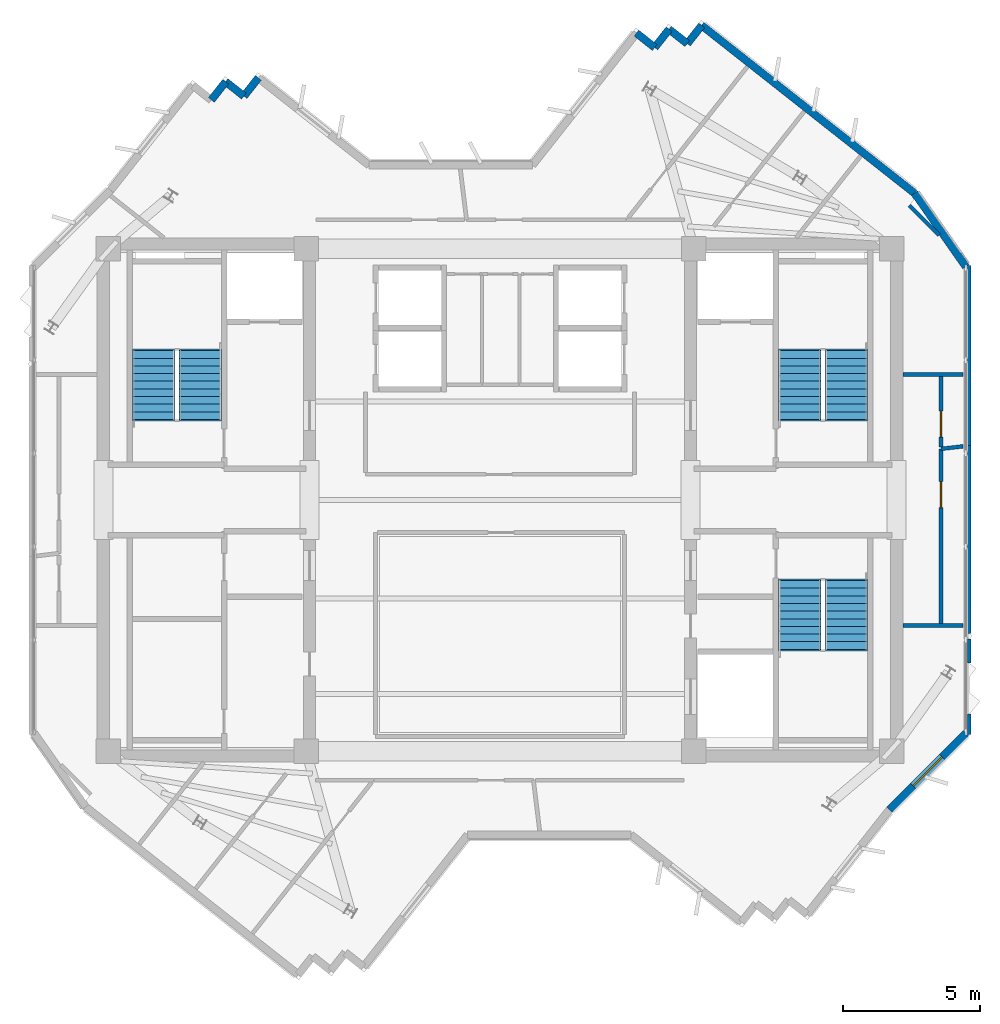
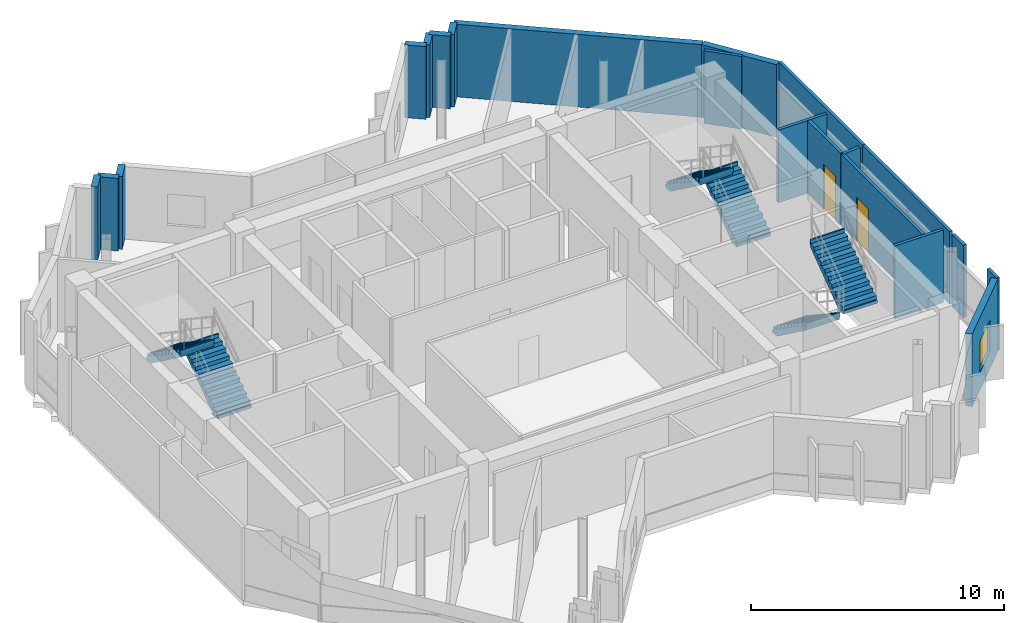
# One storey, part 8 of 10: 20 walls, 6 stair flights, 2 doors, 1 window, 3 openings, 3 elements without a shape of their own.
"""IFC4 building model written with IfcOpenShell, lengths in metres."""

from ifc_helpers import new_model, si_unit, direction, frame, frame_2d, origin, place, context, subcontext, project, spatial, polyline, rectangle, outline, extrude, source, transform, mapped, material, layer, layer_set, type_object, element, fill, aggregate, save


model = new_model("IFC4")

# Units and contexts
model_context = context("Model", 3, precision=1e-05, world=origin(), true_north=direction((0.0, 1.0)))
body_context = subcontext(model_context, "Body", "Model", "MODEL_VIEW")
ifc_project = project(units=[si_unit("LENGTHUNIT", "METRE"), si_unit("AREAUNIT", "SQUARE_METRE"), si_unit("VOLUMEUNIT", "CUBIC_METRE"), si_unit("PLANEANGLEUNIT", "RADIAN"), si_unit("MASSUNIT", "GRAM", prefix="KILO")], contexts=[model_context])

# Site, building, storey
site_placement = place(None, origin())
site = spatial("IfcSite", under=ifc_project, at=site_placement, CompositionType="ELEMENT")
building_placement = place(site_placement, origin())
building = spatial("IfcBuilding", under=site, at=building_placement, Name="Zahravan Cultural Tower", CompositionType="ELEMENT")
storey_placement = place(building_placement, frame((0.0, 0.0, 327.300048828125)))
storey = spatial("IfcBuildingStorey", under=building, at=storey_placement, Name="L79", CompositionType="ELEMENT", Elevation=327.300048828125)

# Wall, opening, window
ifc_material_1 = material(Name="Precast concrete C40/50", Category="concrete")
ifc_layer_1 = layer(ifc_material_1, 0.280029296875)
ifc_layer_set_1 = layer_set([ifc_layer_1], Name="Precast concrete C40/50")
wall_type_1 = type_object("IfcWallType", Name="EW-TC-280", PredefinedType="SOLIDWALL", material=ifc_layer_set_1)
wall_1_placement = place(storey_placement, frame((53.06005859375, 18.4580078125, 0.0), z_axis=(0.0, 0.0, 1.0), x_axis=(-0.707106781187, -0.707106781187, 0.0)))
wall_1 = element("IfcWall", 1, at=wall_1_placement, inside=storey, type_object=wall_type_1, Name="L79 Exterior Masonry Frame Wall 16", PredefinedType="SOLIDWALL", context=body_context, shape_type="SweptSolid", body=[
    extrude(rectangle(XDim=3.96337890625, YDim=0.280029296875, at=frame_2d((1.981689453125, 0.0))), origin(), (0.0, 0.0, 1.0), 3.5),
])
opening_1_placement = place(wall_1_placement, frame((1.23193359375, 0.0, 0.85009765625)))
opening_1 = element("IfcOpeningElement", 2, at=opening_1_placement, cuts=wall_1, Name="Opening WN-03", PredefinedType="OPENING", context=body_context, shape_type="SweptSolid", body=[
    extrude(rectangle(XDim=1.5, YDim=1.5, at=frame_2d((0.75, 0.75))), frame((0.0, 0.14990234375, 0.0), z_axis=(0.0, -1.0, 0.0), x_axis=(1.0, 0.0, 0.0)), (0.0, 0.0, 1.0), 0.300048828125),
])
ifc_material_2 = material(Name="Low-E solar-control double glazing", Category="glass")
window_type = type_object("IfcWindowType", Name="WN-REC-1500X1500", PartitioningType="SINGLE_PANEL", PredefinedType="WINDOW", material=ifc_material_2)
shared_shape_1 = source(origin(), body_context, "Body", "SweptSolid", [
    extrude(rectangle(XDim=1.5, YDim=1.5, at=frame_2d((0.75, 0.75))), frame((0.0, 0.030029296875, 0.0), z_axis=(0.0, -1.0, 0.0), x_axis=(1.0, 0.0, 0.0)), (0.0, 0.0, 1.0), 0.06005859375),
])
window_placement = place(opening_1_placement, origin())
window = element("IfcWindow", 3, at=window_placement, inside=storey, type_object=window_type, Name="L79 Recessed Solar Window 05", OverallHeight=1.5, OverallWidth=1.5, PartitioningType="SINGLE_PANEL", PredefinedType="WINDOW", context=body_context, shape_type="MappedRepresentation", body=[
    mapped(shared_shape_1, transform((0.0, 0.0, 0.0), x_axis=(1.0, 0.0, 0.0), y_axis=(0.0, 1.0, 0.0), z_axis=(0.0, 0.0, 1.0), scale=1.0)),
])
fill(opening_1, window)

# Wall, opening, door
ifc_material_3 = material(Name="Gypsum plasterboard partition")
ifc_layer_2 = layer(ifc_material_3, 0.139892578125)
ifc_layer_set_2 = layer_set([ifc_layer_2], Name="Gypsum plasterboard partition")
wall_type_2 = type_object("IfcWallType", Name="W-PART-140", PredefinedType="PARTITIONING", material=ifc_layer_set_2)
wall_2_placement = place(storey_placement, frame((52.14990234375, 28.948486328125, 0.0), z_axis=(0.0, 0.0, 1.0), x_axis=(-0.000379182834, 0.99999992811, 0.0)))
wall_2 = element("IfcWall", 4, at=wall_2_placement, inside=storey, type_object=wall_type_2, Name="L79 Interior Wall 072", PredefinedType="PARTITIONING", context=body_context, shape_type="SweptSolid", body=[
    extrude(rectangle(XDim=2.575439453125, YDim=0.139892578125, at=frame_2d((1.28759765625, 0.0))), origin(), (0.0, 0.0, 1.0), 3.5),
])
opening_2_placement = place(wall_2_placement, frame((0.357666015625, 0.0, 0.0)))
opening_2 = element("IfcOpeningElement", 5, at=opening_2_placement, cuts=wall_2, Name="Opening D-L79-17", PredefinedType="OPENING", context=body_context, shape_type="SweptSolid", body=[
    extrude(rectangle(XDim=0.949951171875, YDim=2.14990234375, at=frame_2d((0.47509765625, 1.074951171875))), frame((0.0, 0.079833984375, 0.0), z_axis=(0.0, -1.0, 0.0), x_axis=(1.0, 0.0, 0.0)), (0.0, 0.0, 1.0), 0.159912109375),
])
ifc_material_4 = material(Name="Anodised bronze-aluminium mullion", Category="aluminium")
door_type = type_object("IfcDoorType", Name="DR-ROOM-950", OperationType="NOTDEFINED", PredefinedType="DOOR", material=ifc_material_4)
shared_shape_2 = source(origin(), body_context, "Body", "SweptSolid", [
    extrude(rectangle(XDim=0.949951171875, YDim=2.14990234375, at=frame_2d((0.47509765625, 1.074951171875))), frame((0.0, 0.02490234375, 0.0), z_axis=(0.0, -1.0, 0.0), x_axis=(1.0, 0.0, 0.0)), (0.0, 0.0, 1.0), 0.050048828125),
])
door_1_placement = place(opening_2_placement, origin())
door_1 = element("IfcDoor", 6, at=door_1_placement, inside=storey, type_object=door_type, Name="L79 Door D-L79-17", OperationType="SINGLE_SWING_LEFT", OverallHeight=2.14990234375, OverallWidth=0.949951171875, PredefinedType="DOOR", context=body_context, shape_type="MappedRepresentation", body=[
    mapped(shared_shape_2, transform((0.0, 0.0, 0.0), x_axis=(1.0, 0.0, 0.0), y_axis=(0.0, 1.0, 0.0), z_axis=(0.0, 0.0, 1.0), scale=1.0)),
])
fill(opening_2, door_1)

wall_3_placement = place(storey_placement, frame((52.1474609375, 22.477294921875, 0.0), z_axis=(0.0, 0.0, 1.0), x_axis=(0.0003817085, 0.999999927149, 0.0)))
wall_3 = element("IfcWall", 7, at=wall_3_placement, inside=storey, type_object=wall_type_2, Name="L79 Interior Wall 083", PredefinedType="PARTITIONING", context=body_context, shape_type="SweptSolid", body=[
    extrude(rectangle(XDim=6.39599609375, YDim=0.139892578125, at=frame_2d((3.197998046875, 0.0))), origin(), (0.0, 0.0, 1.0), 3.5),
])
opening_3_placement = place(wall_3_placement, frame((4.247802734375, 0.0, 0.0)))
opening_3 = element("IfcOpeningElement", 8, at=opening_3_placement, cuts=wall_3, Name="Opening D-L79-23", PredefinedType="OPENING", context=body_context, shape_type="SweptSolid", body=[
    extrude(rectangle(XDim=0.949951171875, YDim=2.14990234375, at=frame_2d((0.47509765625, 1.074951171875))), frame((0.0, 0.079833984375, 0.0), z_axis=(0.0, -1.0, 0.0), x_axis=(1.0, 0.0, 0.0)), (0.0, 0.0, 1.0), 0.159912109375),
])
door_2_placement = place(opening_3_placement, origin())
door_2 = element("IfcDoor", 9, at=door_2_placement, inside=storey, type_object=door_type, Name="L79 Door D-L79-23", OperationType="SINGLE_SWING_LEFT", OverallHeight=2.14990234375, OverallWidth=0.949951171875, PredefinedType="DOOR", context=body_context, shape_type="MappedRepresentation", body=[
    mapped(shared_shape_2, transform((0.0, 0.0, 0.0), x_axis=(1.0, 0.0, 0.0), y_axis=(0.0, 1.0, 0.0), z_axis=(0.0, 0.0, 1.0), scale=1.0)),
])
fill(opening_3, door_2)

# Walls
shared_shape_3 = source(origin(), body_context, "Body", "SweptSolid", [
    extrude(rectangle(XDim=0.85009765625, YDim=0.280029296875, at=frame_2d((0.425048828125, 0.0))), origin(), (0.0, 0.0, 1.0), 3.5),
])
for number, where, z_axis, x_axis, name in (
    (10, (25.4296875, 41.64892578125, 0.0), (0.0, 0.0, 1.0), (0.619215838066, 0.785220826193, 0.0), "L79 Exterior Masonry Frame Wall 04"),
    (11, (25.9560546875, 42.31640625, 0.0), (0.0, 0.0, 1.0), (0.785220826193, -0.619215838066, 0.0), "L79 Exterior Masonry Frame Wall 05"),
    (12, (40.997314453125, 44.0966796875, 0.0), (0.0, 0.0, 1.0), (0.785220826193, -0.619215838066, 0.0), "L79 Exterior Masonry Frame Wall 10"),
    (13, (42.8583984375, 43.711669921875, 0.0), (0.0, 0.0, 1.0), (0.619215838066, 0.785220826193, 0.0), "L79 Exterior Masonry Frame Wall 13"),
):
    element("IfcWall", number, at=place(storey_placement, frame(where, z_axis=z_axis, x_axis=x_axis)), inside=storey, type_object=wall_type_1, Name=name, PredefinedType="SOLIDWALL", context=body_context, shape_type="MappedRepresentation", body=[
        mapped(shared_shape_3, transform((0.0, 0.0, 0.0), x_axis=(1.0, 0.0, 0.0), y_axis=(0.0, 1.0, 0.0), z_axis=(0.0, 0.0, 1.0), scale=1.0)),
    ])
shared_shape_4 = source(origin(), body_context, "Body", "SweptSolid", [
    extrude(rectangle(XDim=0.849853515625, YDim=0.280029296875, at=frame_2d((0.4248046875, 0.0))), origin(), (0.0, 0.0, 1.0), 3.5),
])
for number, where, z_axis, x_axis, name in (
    (14, (41.664794921875, 43.5703125, 0.0), (0.0, 0.0, 1.0), (0.619038707801, 0.785360476625, 0.0), "L79 Exterior Masonry Frame Wall 11"),
    (15, (42.19091796875, 44.23779296875, 0.0), (0.0, 0.0, 1.0), (0.785360476625, -0.619038707801, 0.0), "L79 Exterior Masonry Frame Wall 12"),
):
    element("IfcWall", number, at=place(storey_placement, frame(where, z_axis=z_axis, x_axis=x_axis)), inside=storey, type_object=wall_type_1, Name=name, PredefinedType="SOLIDWALL", context=body_context, shape_type="MappedRepresentation", body=[
        mapped(shared_shape_4, transform((0.0, 0.0, 0.0), x_axis=(1.0, 0.0, 0.0), y_axis=(0.0, 1.0, 0.0), z_axis=(0.0, 0.0, 1.0), scale=1.0)),
    ])
shared_shape_5 = source(origin(), body_context, "Body", "SweptSolid", [
    extrude(rectangle(XDim=9.919921875, YDim=0.280029296875, at=frame_2d((4.9599609375, 0.0))), origin(), (0.0, 0.0, 1.0), 3.5),
])
wall_4_placement = place(storey_placement, frame((43.384765625, 44.379150390625, 0.0), z_axis=(0.0, 0.0, 1.0), x_axis=(0.785317257435, -0.619093535077, 0.0)))
element("IfcWall", 16, at=wall_4_placement, inside=storey, type_object=wall_type_1, Name="L79 Exterior Masonry Frame Wall 14", PredefinedType="SOLIDWALL", context=body_context, shape_type="MappedRepresentation", body=[
    mapped(shared_shape_5, transform((0.0, 0.0, 0.0), x_axis=(1.0, 0.0, 0.0), y_axis=(0.0, 1.0, 0.0), z_axis=(0.0, 0.0, 1.0), scale=1.0)),
])
shared_shape_6 = source(origin(), body_context, "Body", "SweptSolid", [
    extrude(rectangle(XDim=0.850341796875, YDim=0.280029296875, at=frame_2d((0.42529296875, 0.0))), origin(), (0.0, 0.0, 1.0), 3.5),
])
wall_5_placement = place(storey_placement, frame((26.62353515625, 41.7900390625, 0.0), z_axis=(0.0, 0.0, 1.0), x_axis=(0.619076214196, 0.785330911793, 0.0)))
element("IfcWall", 17, at=wall_5_placement, inside=storey, type_object=wall_type_1, Name="L79 Exterior Masonry Frame Wall 06", PredefinedType="SOLIDWALL", context=body_context, shape_type="MappedRepresentation", body=[
    mapped(shared_shape_6, transform((0.0, 0.0, 0.0), x_axis=(1.0, 0.0, 0.0), y_axis=(0.0, 1.0, 0.0), z_axis=(0.0, 0.0, 1.0), scale=1.0)),
])
shared_shape_7 = source(origin(), body_context, "Body", "SweptSolid", [
    extrude(rectangle(XDim=3.28955078125, YDim=0.280029296875, at=frame_2d((1.644775390625, 0.0))), origin(), (0.0, 0.0, 1.0), 3.5),
])
wall_6_placement = place(storey_placement, frame((51.175048828125, 38.23779296875, 0.0), z_axis=(0.0, 0.0, 1.0), x_axis=(0.573043854491, -0.819524704222, 0.0)))
element("IfcWall", 18, at=wall_6_placement, inside=storey, type_object=wall_type_1, Name="L79 Exterior Masonry Frame Wall 15", PredefinedType="SOLIDWALL", context=body_context, shape_type="MappedRepresentation", body=[
    mapped(shared_shape_7, transform((0.0, 0.0, 0.0), x_axis=(1.0, 0.0, 0.0), y_axis=(0.0, 1.0, 0.0), z_axis=(0.0, 0.0, 1.0), scale=1.0)),
])
shared_shape_8 = source(origin(), body_context, "Body", "SweptSolid", [
    extrude(rectangle(XDim=2.205078125, YDim=0.139892578125, at=frame_2d((1.1025390625, 0.0))), origin(), (0.0, 0.0, 1.0), 3.5),
])
for number, where, z_axis, x_axis, name in (
    (19, (52.9599609375, 31.598388671875, 0.0), (0.0, 0.0, 1.0), (-0.99999969967, 0.000775021911, 0.0), "L79 Interior Wall 068"),
    (20, (50.7548828125, 22.400146484375, 0.0), (0.0, 0.0, 1.0), (0.999998620938, 0.001660759446, 0.0), "L79 Interior Wall 082"),
):
    element("IfcWall", number, at=place(storey_placement, frame(where, z_axis=z_axis, x_axis=x_axis)), inside=storey, type_object=wall_type_2, Name=name, PredefinedType="PARTITIONING", context=body_context, shape_type="MappedRepresentation", body=[
        mapped(shared_shape_8, transform((0.0, 0.0, 0.0), x_axis=(1.0, 0.0, 0.0), y_axis=(0.0, 1.0, 0.0), z_axis=(0.0, 0.0, 1.0), scale=1.0)),
    ])
shared_shape_9 = source(origin(), body_context, "Body", "SweptSolid", [
    extrude(rectangle(XDim=0.882080078125, YDim=0.139892578125, at=frame_2d((0.44091796875, 0.0))), origin(), (0.0, 0.0, 1.0), 3.5),
])
wall_7_placement = place(storey_placement, frame((53.180419921875, 21.9052734375, 0.0), z_axis=(0.0, 0.0, 1.0), x_axis=(-0.000553556516, -0.999999846788, 0.0)))
element("IfcWall", 21, at=wall_7_placement, inside=storey, type_object=wall_type_2, Name="L79 Interior Wall 085", PredefinedType="PARTITIONING", context=body_context, shape_type="MappedRepresentation", body=[
    mapped(shared_shape_9, transform((0.0, 0.0, 0.0), x_axis=(1.0, 0.0, 0.0), y_axis=(0.0, 1.0, 0.0), z_axis=(0.0, 0.0, 1.0), scale=1.0)),
])
shared_shape_10 = source(origin(), body_context, "Body", "SweptSolid", [
    extrude(rectangle(XDim=0.76171875, YDim=0.139892578125, at=frame_2d((0.380859375, 0.0))), origin(), (0.0, 0.0, 1.0), 3.5),
])
wall_8_placement = place(storey_placement, frame((53.18310546875, 19.169921875, 0.0), z_axis=(0.0, 0.0, 1.0), x_axis=(-0.004166630498, -0.999991319557, 0.0)))
element("IfcWall", 22, at=wall_8_placement, inside=storey, type_object=wall_type_2, Name="L79 Interior Wall 086", PredefinedType="PARTITIONING", context=body_context, shape_type="MappedRepresentation", body=[
    mapped(shared_shape_10, transform((0.0, 0.0, 0.0), x_axis=(1.0, 0.0, 0.0), y_axis=(0.0, 1.0, 0.0), z_axis=(0.0, 0.0, 1.0), scale=1.0)),
])
shared_shape_11 = source(origin(), body_context, "Body", "SweptSolid", [
    extrude(rectangle(XDim=1.538330078125, YDim=0.139892578125, at=frame_2d((0.76904296875, 0.0))), origin(), (0.0, 0.0, 1.0), 3.5),
])
wall_9_placement = place(storey_placement, frame((50.9912109375, 37.78271484375, 0.0), z_axis=(0.0, 0.0, 1.0), x_axis=(0.706709909315, -0.707503430434, 0.0)))
element("IfcWall", 23, at=wall_9_placement, inside=storey, type_object=wall_type_2, Name="L79 Interior Wall 069", PredefinedType="PARTITIONING", context=body_context, shape_type="MappedRepresentation", body=[
    mapped(shared_shape_11, transform((0.0, 0.0, 0.0), x_axis=(1.0, 0.0, 0.0), y_axis=(0.0, 1.0, 0.0), z_axis=(0.0, 0.0, 1.0), scale=1.0)),
])
shared_shape_12 = source(origin(), body_context, "Body", "SweptSolid", [
    extrude(rectangle(XDim=6.601806640625, YDim=0.139892578125, at=frame_2d((3.30078125, 0.0))), origin(), (0.0, 0.0, 1.0), 3.5),
])
wall_10_placement = place(storey_placement, frame((53.179931640625, 35.591796875, 0.0), z_axis=(0.0, 0.0, 1.0), x_axis=(0.0, -1.0, 0.0)))
element("IfcWall", 24, at=wall_10_placement, inside=storey, type_object=wall_type_2, Name="L79 Interior Wall 070", PredefinedType="PARTITIONING", context=body_context, shape_type="MappedRepresentation", body=[
    mapped(shared_shape_12, transform((0.0, 0.0, 0.0), x_axis=(1.0, 0.0, 0.0), y_axis=(0.0, 1.0, 0.0), z_axis=(0.0, 0.0, 1.0), scale=1.0)),
])
shared_shape_13 = source(origin(), body_context, "Body", "SweptSolid", [
    extrude(rectangle(XDim=0.810302734375, YDim=0.139892578125, at=frame_2d((0.4052734375, 0.0))), origin(), (0.0, 0.0, 1.0), 3.5),
])
wall_11_placement = place(storey_placement, frame((52.955078125, 28.964599609375, 0.0), z_axis=(0.0, 0.0, 1.0), x_axis=(-0.99359757088, -0.112977285955, 0.0)))
element("IfcWall", 25, at=wall_11_placement, inside=storey, type_object=wall_type_2, Name="L79 Interior Wall 071", PredefinedType="PARTITIONING", context=body_context, shape_type="MappedRepresentation", body=[
    mapped(shared_shape_13, transform((0.0, 0.0, 0.0), x_axis=(1.0, 0.0, 0.0), y_axis=(0.0, 1.0, 0.0), z_axis=(0.0, 0.0, 1.0), scale=1.0)),
])
shared_shape_14 = source(origin(), body_context, "Body", "SweptSolid", [
    extrude(rectangle(XDim=6.88134765625, YDim=0.139892578125, at=frame_2d((3.440673828125, 0.0))), origin(), (0.0, 0.0, 1.0), 3.5),
])
wall_12_placement = place(storey_placement, frame((53.179931640625, 28.989990234375, 0.0), z_axis=(0.0, 0.0, 1.0), x_axis=(0.0, -1.0, 0.0)))
element("IfcWall", 26, at=wall_12_placement, inside=storey, type_object=wall_type_2, Name="L79 Interior Wall 084", PredefinedType="PARTITIONING", context=body_context, shape_type="MappedRepresentation", body=[
    mapped(shared_shape_14, transform((0.0, 0.0, 0.0), x_axis=(1.0, 0.0, 0.0), y_axis=(0.0, 1.0, 0.0), z_axis=(0.0, 0.0, 1.0), scale=1.0)),
])

# Stair, stair flights
ifc_material_5 = material(Name="Concrete C45/55", Category="concrete")
stair_type = type_object("IfcStairType", Name="STR-DL-1550-375", PredefinedType="HALF_TURN_STAIR", material=ifc_material_5)
stair_1_placement = place(storey_placement, origin())
stair_1 = element("IfcStair", 27, at=stair_1_placement, inside=storey, type_object=stair_type, Name="L79 West Core North Exit Stair ST-W1", PredefinedType="HALF_TURN_STAIR")
stair_flight_type = type_object("IfcStairFlightType", Name="FLG-DL-1550-375", PredefinedType="STRAIGHT", material=ifc_material_5)
stair_flight_1_placement = place(storey_placement, frame((25.02490234375, 29.949951171875, 0.0), z_axis=(0.0, 0.0, 1.0), x_axis=(0.0, 1.0, 0.0)))
stair_flight_1 = element("IfcStairFlight", 28, at=stair_flight_1_placement, type_object=stair_flight_type, Name="ST-W1 flight 1", NumberOfRisers=10, NumberOfTreads=9, PredefinedType="STRAIGHT", RiserHeight=0.1875, TreadLength=0.28, context=body_context, shape_type="SweptSolid", body=[
    extrude(outline(polyline([(-0.06494140625, -0.139892578125), (-0.06494140625, 0.0), (0.0, 0.0), (0.0, 0.1875), (0.280029296875, 0.1875), (0.280029296875, 0.375), (0.56005859375, 0.375), (0.56005859375, 0.5625), (0.840087890625, 0.5625), (0.840087890625, 0.75), (1.1201171875, 0.75), (1.1201171875, 0.9375), (1.39990234375, 0.9375), (1.39990234375, 1.125), (1.679931640625, 1.125), (1.679931640625, 1.3125), (1.9599609375, 1.3125), (1.9599609375, 1.5), (2.239990234375, 1.5), (2.239990234375, 1.6875), (2.52001953125, 1.6875), (2.52001953125, 1.875), (2.5849609375, 1.875), (2.5849609375, 1.72509765625), (2.52001953125, 1.507080078125), (0.26953125, -0.139892578125), (-0.06494140625, -0.139892578125)])), frame((0.0, 0.77490234375, 0.0), z_axis=(0.0, -1.0, 0.0), x_axis=(1.0, 0.0, 0.0)), (0.0, 0.0, 1.0), 1.550048828125),
])
stair_flight_2_placement = place(storey_placement, frame((23.324951171875, 32.469970703125, 1.875), z_axis=(0.0, 0.0, 1.0), x_axis=(0.0, -1.0, 0.0)))
stair_flight_2 = element("IfcStairFlight", 29, at=stair_flight_2_placement, type_object=stair_flight_type, Name="ST-W1 flight 2", NumberOfRisers=10, NumberOfTreads=9, PredefinedType="STRAIGHT", RiserHeight=0.1875, TreadLength=0.28, context=body_context, shape_type="SweptSolid", body=[
    extrude(outline(polyline([(-0.06494140625, -0.139892578125), (-0.06494140625, 0.0), (0.0, 0.0), (0.0, 0.1875), (0.280029296875, 0.1875), (0.280029296875, 0.375), (0.56005859375, 0.375), (0.56005859375, 0.5625), (0.840087890625, 0.5625), (0.840087890625, 0.75), (1.1201171875, 0.75), (1.1201171875, 0.9375), (1.39990234375, 0.9375), (1.39990234375, 1.125), (1.679931640625, 1.125), (1.679931640625, 1.3125), (1.9599609375, 1.3125), (1.9599609375, 1.5), (2.239990234375, 1.5), (2.239990234375, 1.6875), (2.52001953125, 1.6875), (2.52001953125, 1.875), (2.5849609375, 1.875), (2.5849609375, 1.72509765625), (2.52001953125, 1.507080078125), (0.26953125, -0.139892578125), (-0.06494140625, -0.139892578125)])), frame((0.0, 0.77490234375, 0.0), z_axis=(0.0, -1.0, 0.0), x_axis=(1.0, 0.0, 0.0)), (0.0, 0.0, 1.0), 1.550048828125),
])
aggregate(stair_1, [stair_flight_1, stair_flight_2])

stair_2_placement = place(storey_placement, origin())
stair_2 = element("IfcStair", 30, at=stair_2_placement, inside=storey, type_object=stair_type, Name="L79 East Core North Exit Stair ST-E1", PredefinedType="HALF_TURN_STAIR")
stair_flight_3_placement = place(storey_placement, frame((48.675048828125, 29.949951171875, 0.0), z_axis=(0.0, 0.0, 1.0), x_axis=(0.0, 1.0, 0.0)))
stair_flight_3 = element("IfcStairFlight", 31, at=stair_flight_3_placement, type_object=stair_flight_type, Name="ST-E1 flight 1", NumberOfRisers=10, NumberOfTreads=9, PredefinedType="STRAIGHT", RiserHeight=0.1875, TreadLength=0.28, context=body_context, shape_type="SweptSolid", body=[
    extrude(outline(polyline([(-0.06494140625, -0.139892578125), (-0.06494140625, 0.0), (0.0, 0.0), (0.0, 0.1875), (0.280029296875, 0.1875), (0.280029296875, 0.375), (0.56005859375, 0.375), (0.56005859375, 0.5625), (0.840087890625, 0.5625), (0.840087890625, 0.75), (1.1201171875, 0.75), (1.1201171875, 0.9375), (1.39990234375, 0.9375), (1.39990234375, 1.125), (1.679931640625, 1.125), (1.679931640625, 1.3125), (1.9599609375, 1.3125), (1.9599609375, 1.5), (2.239990234375, 1.5), (2.239990234375, 1.6875), (2.52001953125, 1.6875), (2.52001953125, 1.875), (2.5849609375, 1.875), (2.5849609375, 1.72509765625), (2.52001953125, 1.507080078125), (0.26953125, -0.139892578125), (-0.06494140625, -0.139892578125)])), frame((0.0, 0.77490234375, 0.0), z_axis=(0.0, -1.0, 0.0), x_axis=(1.0, 0.0, 0.0)), (0.0, 0.0, 1.0), 1.550048828125),
])
stair_flight_4_placement = place(storey_placement, frame((46.97509765625, 32.469970703125, 1.875), z_axis=(0.0, 0.0, 1.0), x_axis=(0.0, -1.0, 0.0)))
stair_flight_4 = element("IfcStairFlight", 32, at=stair_flight_4_placement, type_object=stair_flight_type, Name="ST-E1 flight 2", NumberOfRisers=10, NumberOfTreads=9, PredefinedType="STRAIGHT", RiserHeight=0.1875, TreadLength=0.28, context=body_context, shape_type="SweptSolid", body=[
    extrude(outline(polyline([(-0.06494140625, -0.139892578125), (-0.06494140625, 0.0), (0.0, 0.0), (0.0, 0.1875), (0.280029296875, 0.1875), (0.280029296875, 0.375), (0.56005859375, 0.375), (0.56005859375, 0.5625), (0.840087890625, 0.5625), (0.840087890625, 0.75), (1.1201171875, 0.75), (1.1201171875, 0.9375), (1.39990234375, 0.9375), (1.39990234375, 1.125), (1.679931640625, 1.125), (1.679931640625, 1.3125), (1.9599609375, 1.3125), (1.9599609375, 1.5), (2.239990234375, 1.5), (2.239990234375, 1.6875), (2.52001953125, 1.6875), (2.52001953125, 1.875), (2.5849609375, 1.875), (2.5849609375, 1.72509765625), (2.52001953125, 1.507080078125), (0.26953125, -0.139892578125), (-0.06494140625, -0.139892578125)])), frame((0.0, 0.77490234375, 0.0), z_axis=(0.0, -1.0, 0.0), x_axis=(1.0, 0.0, 0.0)), (0.0, 0.0, 1.0), 1.550048828125),
])
aggregate(stair_2, [stair_flight_3, stair_flight_4])

stair_3_placement = place(storey_placement, origin())
stair_3 = element("IfcStair", 33, at=stair_3_placement, inside=storey, type_object=stair_type, Name="L79 East Core South Exit Stair ST-E2", PredefinedType="HALF_TURN_STAIR")
stair_flight_5_placement = place(storey_placement, frame((46.97509765625, 24.050048828125, 0.0), z_axis=(0.0, 0.0, 1.0), x_axis=(0.0, -1.0, 0.0)))
stair_flight_5 = element("IfcStairFlight", 34, at=stair_flight_5_placement, type_object=stair_flight_type, Name="ST-E2 flight 1", NumberOfRisers=10, NumberOfTreads=9, PredefinedType="STRAIGHT", RiserHeight=0.1875, TreadLength=0.28, context=body_context, shape_type="SweptSolid", body=[
    extrude(outline(polyline([(-0.06494140625, -0.139892578125), (-0.06494140625, 0.0), (0.0, 0.0), (0.0, 0.1875), (0.280029296875, 0.1875), (0.280029296875, 0.375), (0.56005859375, 0.375), (0.56005859375, 0.5625), (0.840087890625, 0.5625), (0.840087890625, 0.75), (1.1201171875, 0.75), (1.1201171875, 0.9375), (1.39990234375, 0.9375), (1.39990234375, 1.125), (1.679931640625, 1.125), (1.679931640625, 1.3125), (1.9599609375, 1.3125), (1.9599609375, 1.5), (2.239990234375, 1.5), (2.239990234375, 1.6875), (2.52001953125, 1.6875), (2.52001953125, 1.875), (2.5849609375, 1.875), (2.5849609375, 1.72509765625), (2.52001953125, 1.507080078125), (0.26953125, -0.139892578125), (-0.06494140625, -0.139892578125)])), frame((0.0, 0.77490234375, 0.0), z_axis=(0.0, -1.0, 0.0), x_axis=(1.0, 0.0, 0.0)), (0.0, 0.0, 1.0), 1.550048828125),
])
stair_flight_6_placement = place(storey_placement, frame((48.675048828125, 21.530029296875, 1.875), z_axis=(0.0, 0.0, 1.0), x_axis=(0.0, 1.0, 0.0)))
stair_flight_6 = element("IfcStairFlight", 35, at=stair_flight_6_placement, type_object=stair_flight_type, Name="ST-E2 flight 2", NumberOfRisers=10, NumberOfTreads=9, PredefinedType="STRAIGHT", RiserHeight=0.1875, TreadLength=0.28, context=body_context, shape_type="SweptSolid", body=[
    extrude(outline(polyline([(-0.06494140625, -0.139892578125), (-0.06494140625, 0.0), (0.0, 0.0), (0.0, 0.1875), (0.280029296875, 0.1875), (0.280029296875, 0.375), (0.56005859375, 0.375), (0.56005859375, 0.5625), (0.840087890625, 0.5625), (0.840087890625, 0.75), (1.1201171875, 0.75), (1.1201171875, 0.9375), (1.39990234375, 0.9375), (1.39990234375, 1.125), (1.679931640625, 1.125), (1.679931640625, 1.3125), (1.9599609375, 1.3125), (1.9599609375, 1.5), (2.239990234375, 1.5), (2.239990234375, 1.6875), (2.52001953125, 1.6875), (2.52001953125, 1.875), (2.5849609375, 1.875), (2.5849609375, 1.72509765625), (2.52001953125, 1.507080078125), (0.26953125, -0.139892578125), (-0.06494140625, -0.139892578125)])), frame((0.0, 0.77490234375, 0.0), z_axis=(0.0, -1.0, 0.0), x_axis=(1.0, 0.0, 0.0)), (0.0, 0.0, 1.0), 1.550048828125),
])
aggregate(stair_3, [stair_flight_5, stair_flight_6])

save(model, "model.ifc")
